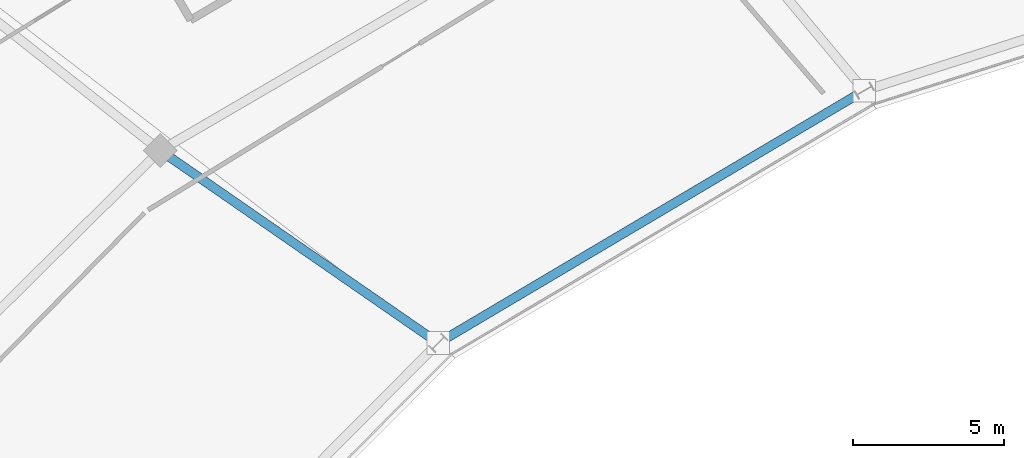
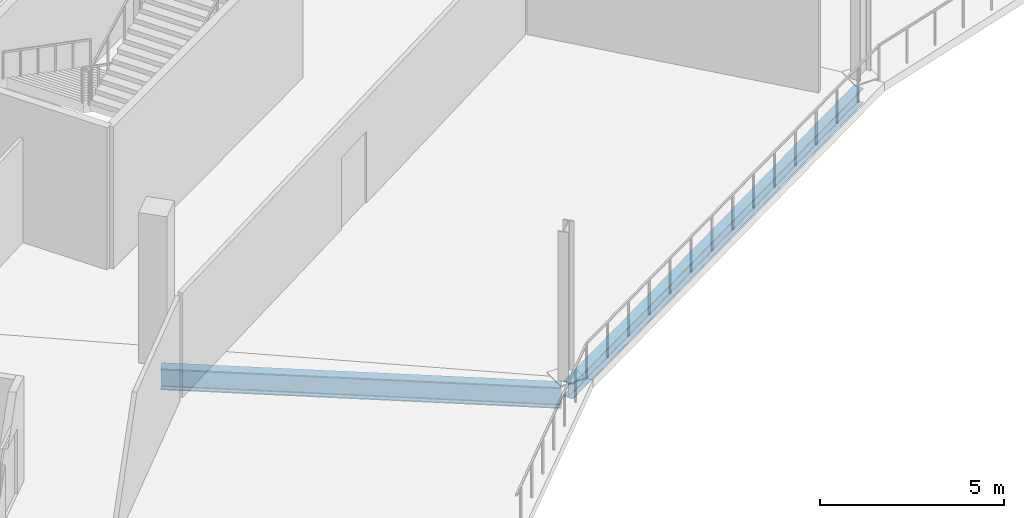
# One storey, part 48 of 179: 2 beams.
"""IFC4 building model written with IfcOpenShell, lengths in metres."""

from ifc_helpers import new_model, si_unit, direction, frame, origin, origin_2d, place, context, subcontext, project, spatial, i_section, extrude, material, material_profile, profile_set, type_object, element, save


model = new_model("IFC4")

# Units and contexts
model_context = context("Model", 3, precision=1e-05, world=origin(), true_north=direction((0.0, 1.0)))
body_context = subcontext(model_context, "Body", "Model", "MODEL_VIEW")
ifc_project = project(units=[si_unit("LENGTHUNIT", "METRE"), si_unit("AREAUNIT", "SQUARE_METRE"), si_unit("VOLUMEUNIT", "CUBIC_METRE"), si_unit("PLANEANGLEUNIT", "RADIAN"), si_unit("MASSUNIT", "GRAM", prefix="KILO")], contexts=[model_context])

# Site, building, storey
site_placement = place(None, origin())
site = spatial("IfcSite", under=ifc_project, at=site_placement, CompositionType="ELEMENT")
building_placement = place(site_placement, origin())
building = spatial("IfcBuilding", under=site, at=building_placement, Name="Zlatoyarsky Gate Stadium", CompositionType="ELEMENT")
storey_placement = place(building_placement, frame((0.0, 0.0, 10.60009765625)))
storey = spatial("IfcBuildingStorey", under=building, at=storey_placement, Name="L02", CompositionType="ELEMENT", Elevation=10.60009765625)

# Beams
ifc_material = material(Name="Steel S355", Category="steel")
ifc_material_profile_1 = material_profile(ifc_material, i_section(OverallWidth=0.300048828125, OverallDepth=0.5, WebThickness=0.014404296875, FlangeThickness=0.028076171875, FilletRadius=0.027099609375, at=origin_2d()), Name="HEB 500")
ifc_profile_set_1 = profile_set([ifc_material_profile_1], Name="Steel S355")
beam_type_1 = type_object("IfcBeamType", Name="STEEL PRIMARY GIRDER HEB 500", PredefinedType="BEAM", material=ifc_profile_set_1)
beam_1_placement = place(storey_placement, frame((76.896728515625, 125.405029296875, -0.530029296875), z_axis=(-0.860360371321, -0.50968620882, 0.0), x_axis=(0.50968620882, -0.860360371321, 0.0)))
element("IfcBeam", 1, at=beam_1_placement, inside=storey, type_object=beam_type_1, Name="Beam G-HEB500 BM-L02-CRA-08", PredefinedType="BEAM", context=body_context, shape_type="SweptSolid", body=[
    extrude(i_section(OverallWidth=0.300048828125, OverallDepth=0.5, WebThickness=0.014404296875, FlangeThickness=0.028076171875, FilletRadius=0.027099609375, at=origin_2d()), origin(), (0.0, 0.0, 1.0), 16.12890625),
])
ifc_material_profile_2 = material_profile(ifc_material, i_section(OverallWidth=0.300048828125, OverallDepth=0.699951171875, WebThickness=0.01708984375, FlangeThickness=0.031982421875, FilletRadius=0.027099609375, at=origin_2d()), Name="HEB 700")
ifc_profile_set_2 = profile_set([ifc_material_profile_2], Name="Steel S355")
beam_type_2 = type_object("IfcBeamType", Name="STEEL PRIMARY GIRDER HEB 700", PredefinedType="BEAM", material=ifc_profile_set_2)
beam_2_placement = place(storey_placement, frame((62.818115234375, 117.19140625, -0.630126953125), z_axis=(-0.822196208432, 0.569204176758, 0.0), x_axis=(-0.569204176758, -0.822196208432, 0.0)))
element("IfcBeam", 2, at=beam_2_placement, inside=storey, type_object=beam_type_2, Name="Beam G-HEB700 BM-L02-RAB-09", PredefinedType="BEAM", context=body_context, shape_type="SweptSolid", body=[
    extrude(i_section(OverallWidth=0.300048828125, OverallDepth=0.699951171875, WebThickness=0.01708984375, FlangeThickness=0.031982421875, FilletRadius=0.027099609375, at=origin_2d()), origin(), (0.0, 0.0, 1.0), 10.9404296875),
])

save(model, "model.ifc")
